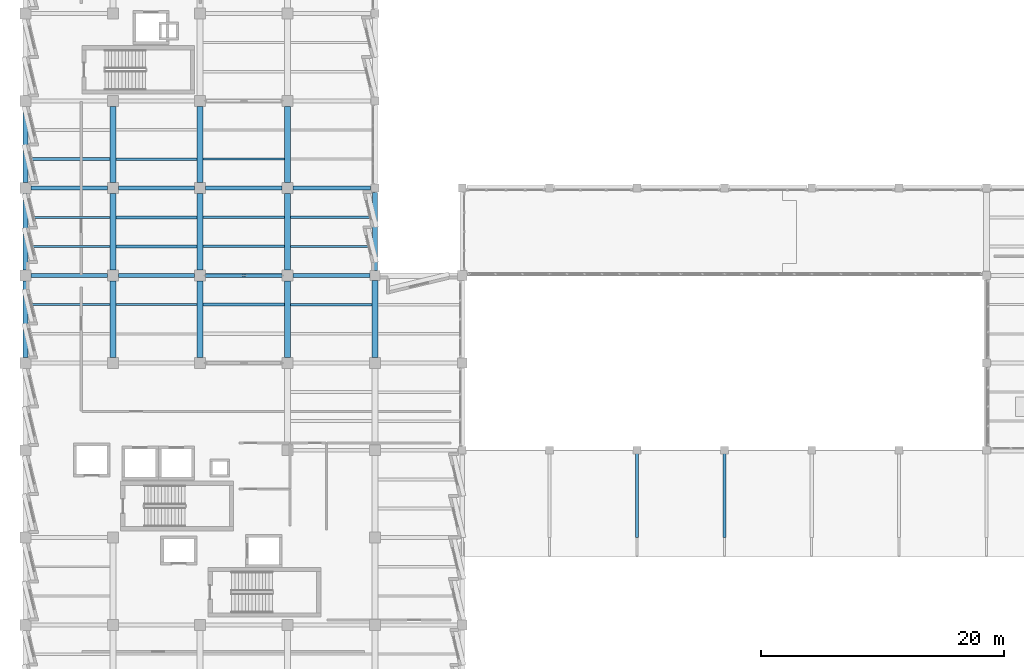
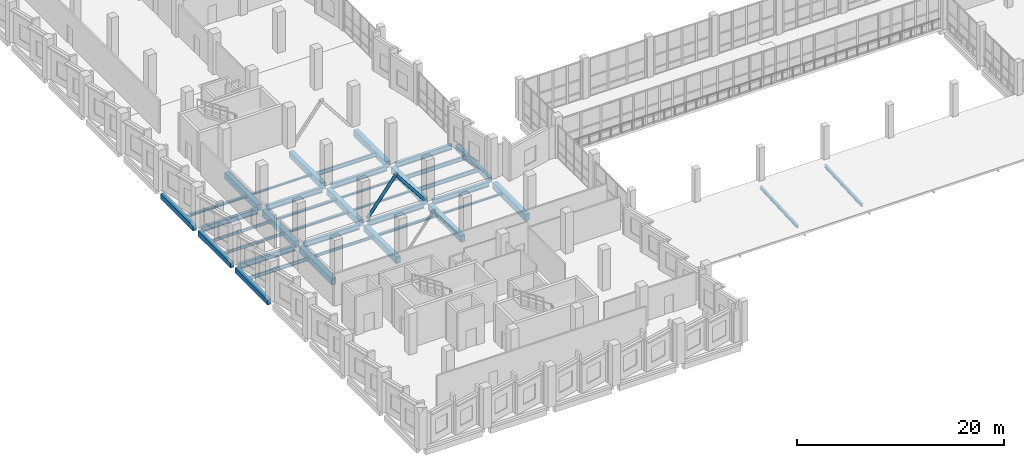
# One storey, part 15 of 127: 39 beams, 2 members.
"""IFC4 building model written with IfcOpenShell, lengths in metres."""

from ifc_helpers import new_model, si_unit, direction, frame, origin, origin_2d, place, context, subcontext, project, spatial, rectangle, hollow_circle, i_section, extrude, material, material_profile, profile_set, type_object, element, save


model = new_model("IFC4")

# Units and contexts
model_context = context("Model", 3, precision=1e-05, world=origin(), true_north=direction((0.0, 1.0)))
body_context = subcontext(model_context, "Body", "Model", "MODEL_VIEW")
ifc_project = project(units=[si_unit("LENGTHUNIT", "METRE"), si_unit("AREAUNIT", "SQUARE_METRE"), si_unit("VOLUMEUNIT", "CUBIC_METRE"), si_unit("PLANEANGLEUNIT", "RADIAN"), si_unit("MASSUNIT", "GRAM", prefix="KILO")], contexts=[model_context])

# Site, building, storey
site_placement = place(None, origin())
site = spatial("IfcSite", under=ifc_project, at=site_placement, CompositionType="ELEMENT")
building_placement = place(site_placement, origin())
building = spatial("IfcBuilding", under=site, at=building_placement, Name="Kalmorath City Hall", CompositionType="ELEMENT")
storey_placement = place(building_placement, frame((0.0, 0.0, 5.39990234375)))
storey = spatial("IfcBuildingStorey", under=building, at=storey_placement, Name="L01", CompositionType="ELEMENT", Elevation=5.39990234375)

# Beams
ifc_material_1 = material(Name="Concrete C40/50", Category="concrete")
ifc_material_profile_1 = material_profile(ifc_material_1, rectangle(XDim=0.39990234375, YDim=0.60009765625, at=origin_2d()), Name="RC-BM-400X600")
ifc_profile_set_1 = profile_set([ifc_material_profile_1], Name="Concrete C40/50")
beam_type_1 = type_object("IfcBeamType", Name="Concrete edge beam 400x600", PredefinedType="SPANDREL", material=ifc_profile_set_1)
for number, where, z_axis, x_axis, name in (
    (1, (0.0, 29.25, -0.6240234375), (0.0, 1.0, 0.0), (-1.0, 0.0, 0.0), "L01 girder CB6 Y1/5-6"),
    (2, (0.0, 36.449951171875, -0.6240234375), (0.0, 1.0, 0.0), (-1.0, 0.0, 0.0), "L01 girder CB6 Y1/6-7"),
    (3, (0.0, 43.64990234375, -0.6240234375), (0.0, 1.0, 0.0), (-1.0, 0.0, 0.0), "L01 girder CB6 Y1/7-8"),
):
    element("IfcBeam", number, at=place(storey_placement, frame(where, z_axis=z_axis, x_axis=x_axis)), inside=storey, type_object=beam_type_1, Name=name, PredefinedType="SPANDREL", context=body_context, shape_type="SweptSolid", body=[
        extrude(rectangle(XDim=0.39990234375, YDim=0.60009765625, at=origin_2d()), origin(), (0.0, 0.0, 1.0), 6.300048828125),
    ])
beam_1_placement = place(storey_placement, frame((28.800048828125, 36.39990234375, -0.6240234375), z_axis=(0.0, 1.0, 0.0), x_axis=(-1.0, 0.0, 0.0)))
element("IfcBeam", 4, at=beam_1_placement, inside=storey, type_object=beam_type_1, Name="L01 girder CB6 Y5/6-7", PredefinedType="SPANDREL", context=body_context, shape_type="SweptSolid", body=[
    extrude(rectangle(XDim=0.39990234375, YDim=0.60009765625, at=origin_2d()), origin(), (0.0, 0.0, 1.0), 6.425048828125),
])
ifc_material_2 = material(Name="Concrete C40/50", Category="concrete")
ifc_material_profile_2 = material_profile(ifc_material_2, rectangle(XDim=0.5, YDim=0.75, at=origin_2d()), Name="RC-BM-500X750")
ifc_profile_set_2 = profile_set([ifc_material_profile_2], Name="Concrete C40/50")
beam_type_2 = type_object("IfcBeamType", Name="Concrete floor beam 500x750", PredefinedType="BEAM", material=ifc_profile_set_2)
for number, where, z_axis, x_axis, name in (
    (5, (7.199951171875, 29.25, -0.698974609375), (0.0, 1.0, 0.0), (-1.0, 0.0, 0.0), "L01 girder CB3 Y2/5-6"),
    (6, (7.199951171875, 36.449951171875, -0.698974609375), (0.0, 1.0, 0.0), (-1.0, 0.0, 0.0), "L01 girder CB3 Y2/6-7"),
    (7, (7.199951171875, 43.64990234375, -0.698974609375), (0.0, 1.0, 0.0), (-1.0, 0.0, 0.0), "L01 girder CB3 Y2/7-8"),
    (8, (14.39990234375, 29.25, -0.698974609375), (0.0, 1.0, 0.0), (-1.0, 0.0, 0.0), "L01 girder CB3 Y3/5-6"),
    (9, (14.39990234375, 36.449951171875, -0.698974609375), (0.0, 1.0, 0.0), (-1.0, 0.0, 0.0), "L01 girder CB3 Y3/6-7"),
    (10, (14.39990234375, 43.64990234375, -0.698974609375), (0.0, 1.0, 0.0), (-1.0, 0.0, 0.0), "L01 girder CB3 Y3/7-8"),
    (11, (21.60009765625, 29.25, -0.698974609375), (0.0, 1.0, 0.0), (-1.0, 0.0, 0.0), "L01 girder CB3 Y4/5-6"),
    (12, (21.60009765625, 36.449951171875, -0.698974609375), (0.0, 1.0, 0.0), (-1.0, 0.0, 0.0), "L01 girder CB3 Y4/6-7"),
    (13, (21.60009765625, 43.64990234375, -0.698974609375), (0.0, 1.0, 0.0), (-1.0, 0.0, 0.0), "L01 girder CB3 Y4/7-8"),
):
    element("IfcBeam", number, at=place(storey_placement, frame(where, z_axis=z_axis, x_axis=x_axis)), inside=storey, type_object=beam_type_2, Name=name, PredefinedType="BEAM", context=body_context, shape_type="SweptSolid", body=[
        extrude(rectangle(XDim=0.5, YDim=0.75, at=origin_2d()), origin(), (0.0, 0.0, 1.0), 6.300048828125),
    ])
beam_2_placement = place(storey_placement, frame((28.800048828125, 29.25, -0.698974609375), z_axis=(0.0, 1.0, 0.0), x_axis=(-1.0, 0.0, 0.0)))
element("IfcBeam", 14, at=beam_2_placement, inside=storey, type_object=beam_type_2, Name="L01 girder CB3 Y5/5-6", PredefinedType="BEAM", context=body_context, shape_type="SweptSolid", body=[
    extrude(rectangle(XDim=0.5, YDim=0.75, at=origin_2d()), origin(), (0.0, 0.0, 1.0), 6.35009765625),
])
ifc_material_3 = material(Name="Steel ASTM A992 Grade 50", Category="steel")
ifc_material_profile_3 = material_profile(ifc_material_3, i_section(OverallWidth=0.25390625, OverallDepth=0.305908203125, WebThickness=0.0087890625, FlangeThickness=0.0146484375, FilletRadius=0.014892578125, at=origin_2d()), Name="W12X53")
ifc_profile_set_3 = profile_set([ifc_material_profile_3], Name="Steel ASTM A992 Grade 50")
beam_type_3 = type_object("IfcBeamType", Name="Steel canopy beam W12X53", PredefinedType="BEAM", material=ifc_profile_set_3)
for number, where, z_axis, x_axis, name in (
    (15, (50.39990234375, 14.39990234375, -0.3798828125), (0.0, 0.998886377864, 0.047180548093), (-1.0, 0.0, 0.0), "Storm arcade canopy beam SJ11-3"),
    (16, (57.60009765625, 14.39990234375, -0.3798828125), (0.0, 0.998886377864, 0.047180548093), (-1.0, 0.0, 0.0), "Storm arcade canopy beam SJ11-4"),
):
    element("IfcBeam", number, at=place(storey_placement, frame(where, z_axis=z_axis, x_axis=x_axis)), inside=storey, type_object=beam_type_3, Name=name, PredefinedType="BEAM", context=body_context, shape_type="SweptSolid", body=[
        extrude(i_section(OverallWidth=0.25390625, OverallDepth=0.305908203125, WebThickness=0.0087890625, FlangeThickness=0.0146484375, FilletRadius=0.014892578125, at=origin_2d()), origin(), (0.0, 0.0, 1.0), 7.208251953125),
    ])
ifc_material_4 = material(Name="Steel ASTM A992 Grade 50", Category="steel")
ifc_material_profile_4 = material_profile(ifc_material_4, i_section(OverallWidth=0.177001953125, OverallDepth=0.403076171875, WebThickness=0.007568359375, FlangeThickness=0.010986328125, FilletRadius=0.012939453125, at=origin_2d()), Name="W16X36")
ifc_profile_set_4 = profile_set([ifc_material_profile_4], Name="Steel ASTM A992 Grade 50")
beam_type_4 = type_object("IfcBeamType", Name="Steel composite joist W16X36", PredefinedType="JOIST", material=ifc_profile_set_4)
beam_3_placement = place(storey_placement, frame((0.199951171875, 33.60009765625, -0.525390625), z_axis=(1.0, 0.0, 0.0), x_axis=(0.0, 1.0, 0.0)))
element("IfcBeam", 17, at=beam_3_placement, inside=storey, type_object=beam_type_4, Name="L01 joist SJ7 1.5.2", PredefinedType="JOIST", context=body_context, shape_type="SweptSolid", body=[
    extrude(i_section(OverallWidth=0.177001953125, OverallDepth=0.403076171875, WebThickness=0.007568359375, FlangeThickness=0.010986328125, FilletRadius=0.012939453125, at=origin_2d()), origin(), (0.0, 0.0, 1.0), 6.75),
])
ifc_material_5 = material(Name="Steel ASTM A992 Grade 50", Category="steel")
ifc_material_profile_5 = material_profile(ifc_material_5, i_section(OverallWidth=0.193115234375, OverallDepth=0.466064453125, WebThickness=0.011474609375, FlangeThickness=0.01904296875, FilletRadius=0.013916015625, at=origin_2d()), Name="W18X65")
ifc_profile_set_5 = profile_set([ifc_material_profile_5], Name="Steel ASTM A992 Grade 50")
beam_type_5 = type_object("IfcBeamType", Name="Steel composite joist W18X65", PredefinedType="JOIST", material=ifc_profile_set_5)
beam_4_placement = place(storey_placement, frame((14.64990234375, 45.60009765625, -0.556884765625), z_axis=(1.0, 0.0, 0.0), x_axis=(0.0, 1.0, 0.0)))
element("IfcBeam", 18, at=beam_4_placement, inside=storey, type_object=beam_type_5, Name="L01 joist SJ1 3.7.1", PredefinedType="JOIST", context=body_context, shape_type="SweptSolid", body=[
    extrude(i_section(OverallWidth=0.193115234375, OverallDepth=0.466064453125, WebThickness=0.011474609375, FlangeThickness=0.01904296875, FilletRadius=0.013916015625, at=origin_2d()), origin(), (0.0, 0.0, 1.0), 6.7001953125),
])
for number, where, z_axis, x_axis, name in (
    (19, (21.85009765625, 38.39990234375, -0.556884765625), (1.0, 0.0, 0.0), (0.0, 1.0, 0.0), "L01 joist SJ1 4.6.1"),
    (20, (21.85009765625, 40.800048828125, -0.556884765625), (1.0, 0.0, 0.0), (0.0, 1.0, 0.0), "L01 joist SJ1 4.6.2"),
):
    element("IfcBeam", number, at=place(storey_placement, frame(where, z_axis=z_axis, x_axis=x_axis)), inside=storey, type_object=beam_type_5, Name=name, PredefinedType="JOIST", context=body_context, shape_type="SweptSolid", body=[
        extrude(i_section(OverallWidth=0.193115234375, OverallDepth=0.466064453125, WebThickness=0.011474609375, FlangeThickness=0.01904296875, FilletRadius=0.013916015625, at=origin_2d()), origin(), (0.0, 0.0, 1.0), 6.75),
    ])
ifc_material_6 = material(Name="Steel ASTM A992 Grade 50", Category="steel")
ifc_material_profile_6 = material_profile(ifc_material_6, i_section(OverallWidth=0.202880859375, OverallDepth=0.202880859375, WebThickness=0.007080078125, FlangeThickness=0.010986328125, FilletRadius=0.010986328125, at=origin_2d()), Name="W8X31")
ifc_profile_set_6 = profile_set([ifc_material_profile_6], Name="Steel ASTM A992 Grade 50")
beam_type_6 = type_object("IfcBeamType", Name="Steel edge trimmer W8X31", PredefinedType="LINTEL", material=ifc_profile_set_6)
beam_5_placement = place(storey_placement, frame((7.449951171875, 45.60009765625, -0.42529296875), z_axis=(1.0, 0.0, 0.0), x_axis=(0.0, 1.0, 0.0)))
element("IfcBeam", 21, at=beam_5_placement, inside=storey, type_object=beam_type_6, Name="L01 joist SJ16 2.7.1", PredefinedType="LINTEL", context=body_context, shape_type="SweptSolid", body=[
    extrude(i_section(OverallWidth=0.202880859375, OverallDepth=0.202880859375, WebThickness=0.007080078125, FlangeThickness=0.010986328125, FilletRadius=0.010986328125, at=origin_2d()), origin(), (0.0, 0.0, 1.0), 6.699951171875),
])
for number, where, z_axis, x_axis, name in (
    (22, (14.64990234375, 38.39990234375, -0.42529296875), (1.0, 0.0, 0.0), (0.0, 1.0, 0.0), "L01 joist SJ16 3.6.1"),
    (23, (14.64990234375, 40.800048828125, -0.42529296875), (1.0, 0.0, 0.0), (0.0, 1.0, 0.0), "L01 joist SJ16 3.6.2"),
):
    element("IfcBeam", number, at=place(storey_placement, frame(where, z_axis=z_axis, x_axis=x_axis)), inside=storey, type_object=beam_type_6, Name=name, PredefinedType="LINTEL", context=body_context, shape_type="SweptSolid", body=[
        extrude(i_section(OverallWidth=0.202880859375, OverallDepth=0.202880859375, WebThickness=0.007080078125, FlangeThickness=0.010986328125, FilletRadius=0.010986328125, at=origin_2d()), origin(), (0.0, 0.0, 1.0), 6.7001953125),
    ])
beam_6_placement = place(storey_placement, frame((21.85009765625, 33.60009765625, -0.42529296875), z_axis=(1.0, 0.0, 0.0), x_axis=(0.0, 1.0, 0.0)))
element("IfcBeam", 24, at=beam_6_placement, inside=storey, type_object=beam_type_6, Name="L01 joist SJ16 4.5.2", PredefinedType="LINTEL", context=body_context, shape_type="SweptSolid", body=[
    extrude(i_section(OverallWidth=0.202880859375, OverallDepth=0.202880859375, WebThickness=0.007080078125, FlangeThickness=0.010986328125, FilletRadius=0.010986328125, at=origin_2d()), origin(), (0.0, 0.0, 1.0), 6.699951171875),
])
ifc_material_7 = material(Name="Steel ASTM A992 Grade 50", Category="steel")
ifc_material_profile_7 = material_profile(ifc_material_7, i_section(OverallWidth=0.323974609375, OverallDepth=0.611083984375, WebThickness=0.0126953125, FlangeThickness=0.01904296875, FilletRadius=0.01611328125, at=origin_2d()), Name="W24X104")
ifc_profile_set_7 = profile_set([ifc_material_profile_7], Name="Steel ASTM A992 Grade 50")
beam_type_7 = type_object("IfcBeamType", Name="Steel floor girder W24X104", PredefinedType="BEAM", material=ifc_profile_set_7)
for number, where, z_axis, x_axis, name in (
    (25, (0.449951171875, 36.0, -0.62939453125), (1.0, 0.0, 0.0), (0.0, 1.0, 0.0), "L01 girder SG7 X1-2/6"),
    (26, (7.64990234375, 36.0, -0.62939453125), (1.0, 0.0, 0.0), (0.0, 1.0, 0.0), "L01 girder SG7 X2-3/6"),
):
    element("IfcBeam", number, at=place(storey_placement, frame(where, z_axis=z_axis, x_axis=x_axis)), inside=storey, type_object=beam_type_7, Name=name, PredefinedType="BEAM", context=body_context, shape_type="SweptSolid", body=[
        extrude(i_section(OverallWidth=0.323974609375, OverallDepth=0.611083984375, WebThickness=0.0126953125, FlangeThickness=0.01904296875, FilletRadius=0.01611328125, at=origin_2d()), origin(), (0.0, 0.0, 1.0), 6.300048828125),
    ])
beam_7_placement = place(storey_placement, frame((14.85009765625, 36.0, -0.62939453125), z_axis=(1.0, 0.0, 0.0), x_axis=(0.0, 1.0, 0.0)))
element("IfcBeam", 27, at=beam_7_placement, inside=storey, type_object=beam_type_7, Name="L01 girder SG7 X3-4/6", PredefinedType="BEAM", context=body_context, shape_type="SweptSolid", body=[
    extrude(i_section(OverallWidth=0.323974609375, OverallDepth=0.611083984375, WebThickness=0.0126953125, FlangeThickness=0.01904296875, FilletRadius=0.01611328125, at=origin_2d()), origin(), (0.0, 0.0, 1.0), 6.2998046875),
])
beam_8_placement = place(storey_placement, frame((22.050048828125, 36.0, -0.62939453125), z_axis=(1.0, 0.0, 0.0), x_axis=(0.0, 1.0, 0.0)))
element("IfcBeam", 28, at=beam_8_placement, inside=storey, type_object=beam_type_7, Name="L01 girder SG7 X4-5/6", PredefinedType="BEAM", context=body_context, shape_type="SweptSolid", body=[
    extrude(i_section(OverallWidth=0.323974609375, OverallDepth=0.611083984375, WebThickness=0.0126953125, FlangeThickness=0.01904296875, FilletRadius=0.01611328125, at=origin_2d()), origin(), (0.0, 0.0, 1.0), 6.349853515625),
])
for number, where, z_axis, x_axis, name in (
    (29, (0.449951171875, 43.199951171875, -0.62939453125), (1.0, 0.0, 0.0), (0.0, 1.0, 0.0), "L01 girder SG7 X1-2/7"),
    (30, (7.64990234375, 43.199951171875, -0.62939453125), (1.0, 0.0, 0.0), (0.0, 1.0, 0.0), "L01 girder SG7 X2-3/7"),
):
    element("IfcBeam", number, at=place(storey_placement, frame(where, z_axis=z_axis, x_axis=x_axis)), inside=storey, type_object=beam_type_7, Name=name, PredefinedType="BEAM", context=body_context, shape_type="SweptSolid", body=[
        extrude(i_section(OverallWidth=0.323974609375, OverallDepth=0.611083984375, WebThickness=0.0126953125, FlangeThickness=0.01904296875, FilletRadius=0.01611328125, at=origin_2d()), origin(), (0.0, 0.0, 1.0), 6.300048828125),
    ])
beam_9_placement = place(storey_placement, frame((14.85009765625, 43.199951171875, -0.62939453125), z_axis=(1.0, 0.0, 0.0), x_axis=(0.0, 1.0, 0.0)))
element("IfcBeam", 31, at=beam_9_placement, inside=storey, type_object=beam_type_7, Name="L01 girder SG7 X3-4/7", PredefinedType="BEAM", context=body_context, shape_type="SweptSolid", body=[
    extrude(i_section(OverallWidth=0.323974609375, OverallDepth=0.611083984375, WebThickness=0.0126953125, FlangeThickness=0.01904296875, FilletRadius=0.01611328125, at=origin_2d()), origin(), (0.0, 0.0, 1.0), 6.2998046875),
])
beam_10_placement = place(storey_placement, frame((22.050048828125, 43.199951171875, -0.62939453125), z_axis=(1.0, 0.0, 0.0), x_axis=(0.0, 1.0, 0.0)))
element("IfcBeam", 32, at=beam_10_placement, inside=storey, type_object=beam_type_7, Name="L01 girder SG7 X4-5/7", PredefinedType="BEAM", context=body_context, shape_type="SweptSolid", body=[
    extrude(i_section(OverallWidth=0.323974609375, OverallDepth=0.611083984375, WebThickness=0.0126953125, FlangeThickness=0.01904296875, FilletRadius=0.01611328125, at=origin_2d()), origin(), (0.0, 0.0, 1.0), 6.375),
])
ifc_material_8 = material(Name="Steel ASTM A992 Grade 50", Category="steel")
ifc_material_profile_8 = material_profile(ifc_material_8, i_section(OverallWidth=0.1669921875, OverallDepth=0.318115234375, WebThickness=0.007568359375, FlangeThickness=0.01318359375, FilletRadius=0.012939453125, at=origin_2d()), Name="W12X35")
ifc_profile_set_8 = profile_set([ifc_material_profile_8], Name="Steel ASTM A992 Grade 50")
beam_type_8 = type_object("IfcBeamType", Name="Steel header lintel W12X35", PredefinedType="LINTEL", material=ifc_profile_set_8)
for number, where, z_axis, x_axis, name in (
    (33, (0.199951171875, 38.39990234375, -0.48291015625), (1.0, 0.0, 0.0), (0.0, 1.0, 0.0), "L01 joist SJ13 1.6.1"),
    (34, (0.199951171875, 40.800048828125, -0.48291015625), (1.0, 0.0, 0.0), (0.0, 1.0, 0.0), "L01 joist SJ13 1.6.2"),
):
    element("IfcBeam", number, at=place(storey_placement, frame(where, z_axis=z_axis, x_axis=x_axis)), inside=storey, type_object=beam_type_8, Name=name, PredefinedType="LINTEL", context=body_context, shape_type="SweptSolid", body=[
        extrude(i_section(OverallWidth=0.1669921875, OverallDepth=0.318115234375, WebThickness=0.007568359375, FlangeThickness=0.01318359375, FilletRadius=0.012939453125, at=origin_2d()), origin(), (0.0, 0.0, 1.0), 6.75),
    ])
beam_11_placement = place(storey_placement, frame((7.449951171875, 33.60009765625, -0.48291015625), z_axis=(1.0, 0.0, 0.0), x_axis=(0.0, 1.0, 0.0)))
element("IfcBeam", 35, at=beam_11_placement, inside=storey, type_object=beam_type_8, Name="L01 joist SJ13 2.5.2", PredefinedType="LINTEL", context=body_context, shape_type="SweptSolid", body=[
    extrude(i_section(OverallWidth=0.1669921875, OverallDepth=0.318115234375, WebThickness=0.007568359375, FlangeThickness=0.01318359375, FilletRadius=0.012939453125, at=origin_2d()), origin(), (0.0, 0.0, 1.0), 6.699951171875),
])
ifc_material_9 = material(Name="Steel ASTM A992 Grade 50", Category="steel")
ifc_material_profile_9 = material_profile(ifc_material_9, i_section(OverallWidth=0.25390625, OverallDepth=0.2529296875, WebThickness=0.008544921875, FlangeThickness=0.01416015625, FilletRadius=0.011962890625, at=origin_2d()), Name="W10X49")
ifc_profile_set_9 = profile_set([ifc_material_profile_9], Name="Steel ASTM A992 Grade 50")
beam_type_9 = type_object("IfcBeamType", Name="Steel trimmer beam W10X49", PredefinedType="BEAM", material=ifc_profile_set_9)
beam_12_placement = place(storey_placement, frame((0.199951171875, 45.60009765625, -0.450439453125), z_axis=(1.0, 0.0, 0.0), x_axis=(0.0, 1.0, 0.0)))
element("IfcBeam", 36, at=beam_12_placement, inside=storey, type_object=beam_type_9, Name="L01 joist SJ14 1.7.1", PredefinedType="BEAM", context=body_context, shape_type="SweptSolid", body=[
    extrude(i_section(OverallWidth=0.25390625, OverallDepth=0.2529296875, WebThickness=0.008544921875, FlangeThickness=0.01416015625, FilletRadius=0.011962890625, at=origin_2d()), origin(), (0.0, 0.0, 1.0), 6.75),
])
for number, where, z_axis, x_axis, name in (
    (37, (7.449951171875, 38.39990234375, -0.450439453125), (1.0, 0.0, 0.0), (0.0, 1.0, 0.0), "L01 joist SJ14 2.6.1"),
    (38, (7.449951171875, 40.800048828125, -0.450439453125), (1.0, 0.0, 0.0), (0.0, 1.0, 0.0), "L01 joist SJ14 2.6.2"),
):
    element("IfcBeam", number, at=place(storey_placement, frame(where, z_axis=z_axis, x_axis=x_axis)), inside=storey, type_object=beam_type_9, Name=name, PredefinedType="BEAM", context=body_context, shape_type="SweptSolid", body=[
        extrude(i_section(OverallWidth=0.25390625, OverallDepth=0.2529296875, WebThickness=0.008544921875, FlangeThickness=0.01416015625, FilletRadius=0.011962890625, at=origin_2d()), origin(), (0.0, 0.0, 1.0), 6.699951171875),
    ])
beam_13_placement = place(storey_placement, frame((14.64990234375, 33.60009765625, -0.450439453125), z_axis=(1.0, 0.0, 0.0), x_axis=(0.0, 1.0, 0.0)))
element("IfcBeam", 39, at=beam_13_placement, inside=storey, type_object=beam_type_9, Name="L01 joist SJ14 3.5.2", PredefinedType="BEAM", context=body_context, shape_type="SweptSolid", body=[
    extrude(i_section(OverallWidth=0.25390625, OverallDepth=0.2529296875, WebThickness=0.008544921875, FlangeThickness=0.01416015625, FilletRadius=0.011962890625, at=origin_2d()), origin(), (0.0, 0.0, 1.0), 6.7001953125),
])

# Members
ifc_material_10 = material(Name="Steel ASTM A500 Grade C", Category="steel")
ifc_material_profile_10 = material_profile(ifc_material_10, hollow_circle(Radius=0.162109375, WallThickness=0.01171875, at=origin_2d()), Name="HSS324X12.7")
ifc_profile_set_10 = profile_set([ifc_material_profile_10], Name="Steel ASTM A500 Grade C")
member_type = type_object("IfcMemberType", Name="Steel tubular strut HSS324X12.7", PredefinedType="BRACE", material=ifc_profile_set_10)
for number, where, z_axis, x_axis, name in (
    (40, (14.85009765625, 36.0, 0.0), (0.616769609155, 0.0, 0.787143728441), (0.0, 1.0, 0.0), "L01 chevron brace BR5 2A"),
    (41, (21.14990234375, 36.0, 0.0), (-0.616769609155, 0.0, 0.787143728441), (0.0, -1.0, 0.0), "L01 chevron brace BR5 2B"),
):
    element("IfcMember", number, at=place(storey_placement, frame(where, z_axis=z_axis, x_axis=x_axis)), inside=storey, type_object=member_type, Name=name, PredefinedType="BRACE", context=body_context, shape_type="SweptSolid", body=[
        extrude(hollow_circle(Radius=0.162109375, WallThickness=0.01171875, at=origin_2d()), origin(), (0.0, 0.0, 1.0), 5.107177734375),
    ])

save(model, "model.ifc")
